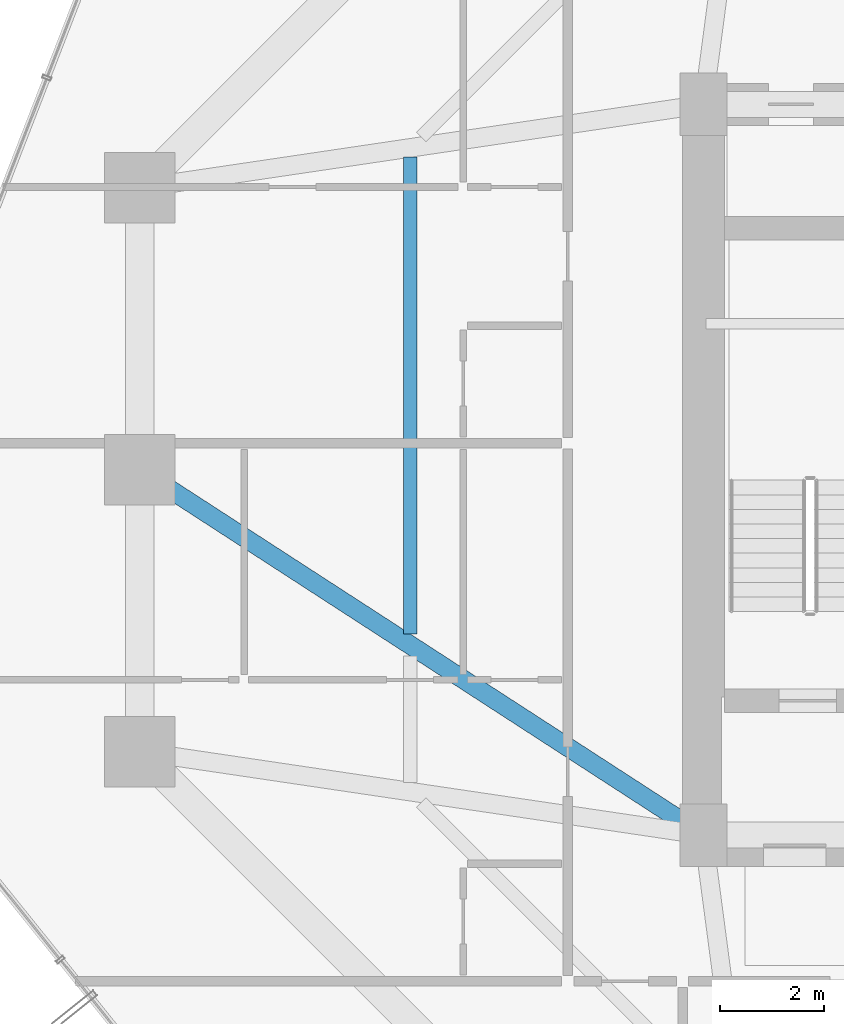
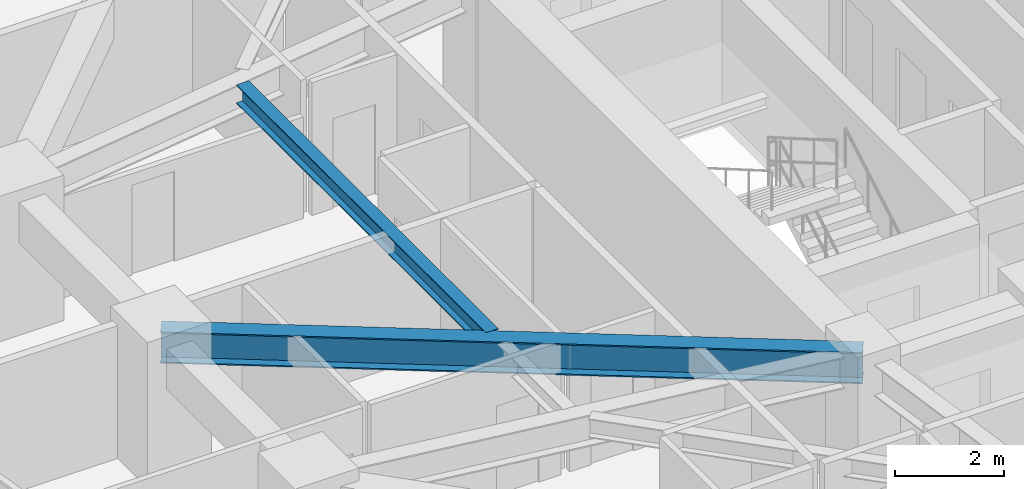
# One storey, part 11 of 37: 2 beams.
"""IFC4 building model written with IfcOpenShell, lengths in metres."""

from ifc_helpers import new_model, si_unit, direction, frame, origin, origin_2d, place, context, subcontext, project, spatial, i_section, extrude, material, material_profile, profile_set, type_object, element, save


model = new_model("IFC4")

# Units and contexts
model_context = context("Model", 3, precision=1e-05, world=origin(), true_north=direction((0.0, 1.0)))
body_context = subcontext(model_context, "Body", "Model", "MODEL_VIEW")
ifc_project = project(units=[si_unit("LENGTHUNIT", "METRE"), si_unit("AREAUNIT", "SQUARE_METRE"), si_unit("VOLUMEUNIT", "CUBIC_METRE"), si_unit("PLANEANGLEUNIT", "RADIAN"), si_unit("MASSUNIT", "GRAM", prefix="KILO")], contexts=[model_context])

# Site, building, storey
site_placement = place(None, origin())
site = spatial("IfcSite", under=ifc_project, at=site_placement, CompositionType="ELEMENT")
building_placement = place(site_placement, origin())
building = spatial("IfcBuilding", under=site, at=building_placement, Name="Veraguas Prism Commons", CompositionType="ELEMENT")
storey_placement = place(building_placement, frame((0.0, 0.0, 53.300048828125)))
storey = spatial("IfcBuildingStorey", under=building, at=storey_placement, Name="L14", CompositionType="ELEMENT", Elevation=53.300048828125)

# Beams
ifc_material = material(Name="Steel ASTM A992 Grade 50", Category="steel")
ifc_material_profile_1 = material_profile(ifc_material, i_section(OverallWidth=0.260986328125, OverallDepth=0.419921875, WebThickness=0.01171875, FlangeThickness=0.019287109375, at=origin_2d()), Name="W410X114")
ifc_profile_set_1 = profile_set([ifc_material_profile_1], Name="Steel ASTM A992 Grade 50")
beam_type_1 = type_object("IfcBeamType", Name="Lower Floor Joist W410x114", PredefinedType="JOIST", material=ifc_profile_set_1)
beam_1_placement = place(storey_placement, frame((11.583984375, 29.989990234375, 2.760009765625), z_axis=(0.0, -1.0, 0.0), x_axis=(1.0, 0.0, 0.0)))
element("IfcBeam", 1, at=beam_1_placement, inside=storey, type_object=beam_type_1, Name="Composite Floor Joist L14-JS07", PredefinedType="JOIST", context=body_context, shape_type="SweptSolid", body=[
    extrude(i_section(OverallWidth=0.260986328125, OverallDepth=0.419921875, WebThickness=0.01171875, FlangeThickness=0.019287109375, at=origin_2d()), origin(), (0.0, 0.0, 1.0), 9.140380859375),
])
ifc_material_profile_2 = material_profile(ifc_material, i_section(OverallWidth=0.35595703125, OverallDepth=0.700927734375, WebThickness=0.016845703125, FlangeThickness=0.02734375, at=origin_2d()), Name="W690X240")
ifc_profile_set_2 = profile_set([ifc_material_profile_2], Name="Steel ASTM A992 Grade 50")
beam_type_2 = type_object("IfcBeamType", Name="Zone 1 Radial Girder W690x240", PredefinedType="BEAM", material=ifc_profile_set_2)
beam_2_placement = place(storey_placement, frame((6.39990234375, 24.0, 2.619384765625), z_axis=(0.839154108875, -0.543893722668, 0.0), x_axis=(0.543893722668, 0.839154108875, 0.0)))
element("IfcBeam", 2, at=beam_2_placement, inside=storey, type_object=beam_type_2, Name="Radial Floor Girder L14-RD08", PredefinedType="BEAM", context=body_context, shape_type="SweptSolid", body=[
    extrude(i_section(OverallWidth=0.35595703125, OverallDepth=0.700927734375, WebThickness=0.016845703125, FlangeThickness=0.02734375, at=origin_2d()), origin(), (0.0, 0.0, 1.0), 12.8701171875),
])

save(model, "model.ifc")
